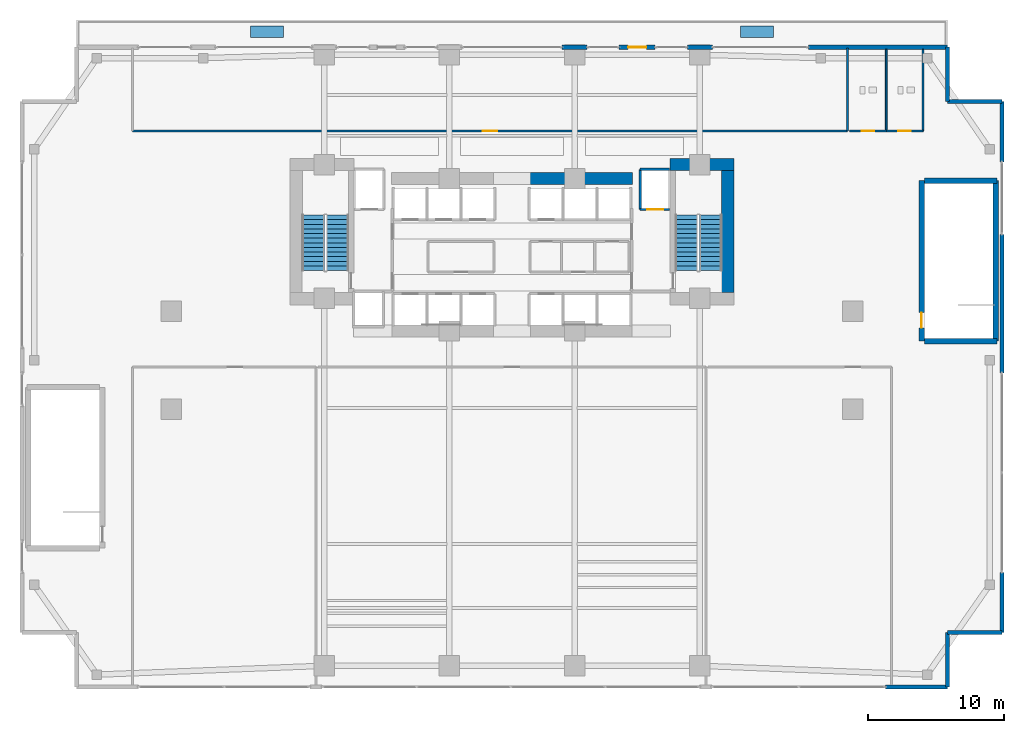
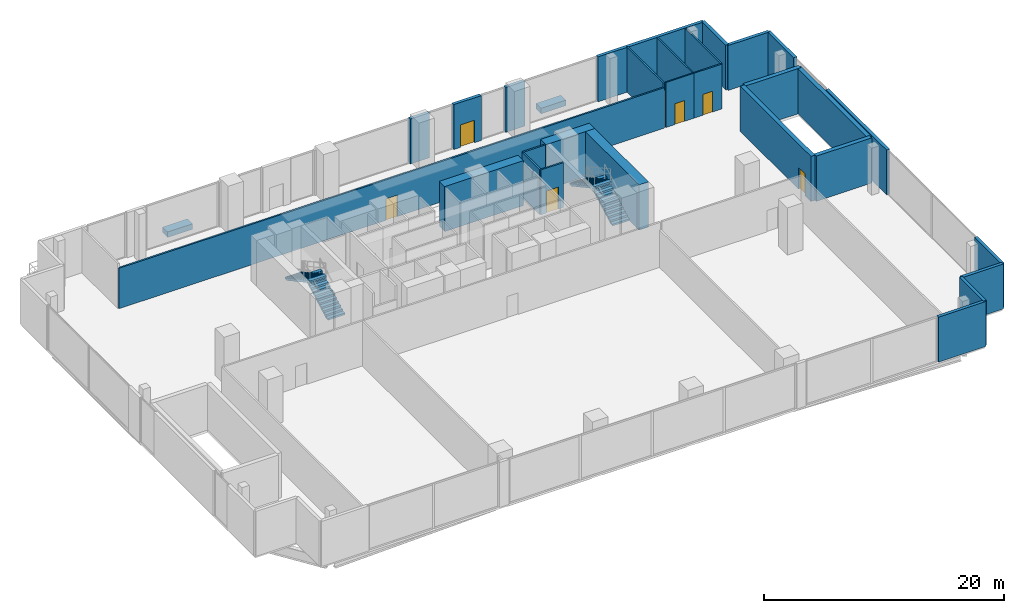
# One storey, part 23 of 28: 28 walls, 6 doors, 4 stair flights, 2 building element parts, 6 openings, 2 elements without a shape of their own.
"""IFC4 building model written with IfcOpenShell, lengths in metres."""

from ifc_helpers import new_model, si_unit, direction, frame, frame_2d, origin, origin_2d, place, context, subcontext, project, spatial, polyline, rectangle, outline, extrude, material, layer, layer_set, type_object, element, fill, aggregate, save


model = new_model("IFC4")

# Units and contexts
model_context = context("Model", 3, precision=1e-05, world=origin(), true_north=direction((0.0, 1.0)))
body_context = subcontext(model_context, "Body", "Model", "MODEL_VIEW")
ifc_project = project(units=[si_unit("LENGTHUNIT", "METRE"), si_unit("AREAUNIT", "SQUARE_METRE"), si_unit("VOLUMEUNIT", "CUBIC_METRE"), si_unit("PLANEANGLEUNIT", "RADIAN"), si_unit("MASSUNIT", "GRAM", prefix="KILO")], contexts=[model_context])

# Site, building, storey
site_placement = place(None, origin())
site = spatial("IfcSite", under=ifc_project, at=site_placement, CompositionType="ELEMENT")
building_placement = place(site_placement, origin())
building = spatial("IfcBuilding", under=site, at=building_placement, Name="Zuhayl Quay Hotel", CompositionType="ELEMENT")
storey_placement = place(building_placement, frame((0.0, 0.0, 22.800048828125)))
storey = spatial("IfcBuildingStorey", under=building, at=storey_placement, Name="L04", CompositionType="ELEMENT", Elevation=22.800048828125)

# Walls
ifc_material_1 = material(Name="Concrete C70/85", Category="concrete")
ifc_layer_1 = layer(ifc_material_1, 0.89990234375, Name="Concrete C70/85", Category="concrete")
ifc_layer_set_1 = layer_set([ifc_layer_1], Name="Concrete C70/85")
wall_type_1 = type_object("IfcWallType", Name="WL_CORE_900", PredefinedType="SHEAR", material=ifc_layer_set_1)
wall_1_placement = place(storey_placement, frame((11.60009765625, 14.3798828125, 0.0), z_axis=(0.0, 0.0, 1.0), x_axis=(1.0, 0.0, 0.0)))
element("IfcWall", 1, at=wall_1_placement, inside=storey, type_object=wall_type_1, Name="L04 Core Shear Wall CW_NE", PredefinedType="SHEAR", context=body_context, shape_type="SweptSolid", body=[
    extrude(rectangle(XDim=4.7099609375, YDim=0.89990234375, at=frame_2d((2.35498046875, 0.0))), origin(), (0.0, 0.0, 1.0), 4.60986328125),
])
wall_2_placement = place(storey_placement, frame((15.860107421875, 4.969970703125, 0.0), z_axis=(0.0, 0.0, 1.0), x_axis=(0.0, 1.0, 0.0)))
element("IfcWall", 2, at=wall_2_placement, inside=storey, type_object=wall_type_1, Name="L04 Core Shear Wall CW_E", PredefinedType="SHEAR", context=body_context, shape_type="SweptSolid", body=[
    extrude(rectangle(XDim=8.9599609375, YDim=0.89990234375, at=frame_2d((4.47998046875, 0.0))), origin(), (0.0, 0.0, 1.0), 4.60986328125),
])
wall_3_placement = place(storey_placement, frame((1.25, 13.35009765625, 0.0), z_axis=(0.0, 0.0, 1.0), x_axis=(1.0, 0.0, 0.0)))
element("IfcWall", 3, at=wall_3_placement, inside=storey, type_object=wall_type_1, Name="L04 Core Shear Wall CW_NC_E", PredefinedType="SHEAR", context=body_context, shape_type="SweptSolid", body=[
    extrude(rectangle(XDim=7.60009765625, YDim=0.89990234375, at=frame_2d((3.800048828125, 0.0))), origin(), (0.0, 0.0, 1.0), 4.579833984375),
])
ifc_material_2 = material(Name="Precast concrete C45/55", Category="concrete")
ifc_layer_2 = layer(ifc_material_2, 0.300048828125, Name="Precast concrete C45/55", Category="concrete")
ifc_layer_set_2 = layer_set([ifc_layer_2], Name="Precast concrete C45/55")
wall_type_2 = type_object("IfcWallType", Name="WL_EXT_300", PredefinedType="STANDARD", material=ifc_layer_set_2)
wall_4_placement = place(storey_placement, frame((3.679931640625, 23.0, 0.0), z_axis=(0.0, 0.0, 1.0), x_axis=(1.0, 0.0, 0.0)))
element("IfcWall", 4, at=wall_4_placement, inside=storey, type_object=wall_type_2, Name="L04 Exterior Precast Wall ENV_L04_E05_EW6", PredefinedType="STANDARD", context=body_context, shape_type="SweptSolid", body=[
    extrude(rectangle(XDim=1.840087890625, YDim=0.300048828125, at=frame_2d((0.919921875, 0.0))), origin(), (0.0, 0.0, 1.0), 4.579833984375),
])

# Wall, opening, door
wall_5_placement = place(storey_placement, frame((7.875, 23.0, 0.0), z_axis=(0.0, 0.0, 1.0), x_axis=(1.0, 0.0, 0.0)))
wall_5 = element("IfcWall", 5, at=wall_5_placement, inside=storey, type_object=wall_type_2, Name="L04 Exterior Precast Wall ENV_L04_E05_EW7", PredefinedType="STANDARD", context=body_context, shape_type="SweptSolid", body=[
    extrude(rectangle(XDim=2.64990234375, YDim=0.300048828125, at=frame_2d((1.324951171875, 0.0))), origin(), (0.0, 0.0, 1.0), 4.579833984375),
])
opening_1_placement = place(wall_5_placement, frame((0.64990234375, 0.0, 0.0)))
opening_1 = element("IfcOpeningElement", 6, at=opening_1_placement, cuts=wall_5, Name="Opening DG2", PredefinedType="OPENING", context=body_context, shape_type="SweptSolid", body=[
    extrude(rectangle(XDim=1.35009765625, YDim=2.300048828125, at=frame_2d((0.675048828125, 1.14990234375))), frame((0.0, 0.159912109375, 0.0), z_axis=(0.0, -1.0, 0.0), x_axis=(1.0, 0.0, 0.0)), (0.0, 0.0, 1.0), 0.320068359375),
])
ifc_material_3 = material(Name="Anodised Aluminium and Dark Solar Glass", Category="aluminium")
door_type_1 = type_object("IfcDoorType", Name="DR_EXT_TERR_1350", OperationType="NOTDEFINED", PredefinedType="DOOR", material=ifc_material_3)
door_1_placement = place(opening_1_placement, origin())
door_1 = element("IfcDoor", 7, at=door_1_placement, inside=storey, type_object=door_type_1, Name="L04 Waterfront Terrace Door East", OperationType="SINGLE_SWING_RIGHT", OverallHeight=2.300048828125, OverallWidth=1.35009765625, PredefinedType="DOOR", context=body_context, shape_type="SweptSolid", body=[
    extrude(rectangle(XDim=1.35009765625, YDim=2.300048828125, at=frame_2d((0.675048828125, 1.14990234375))), frame((0.0, 0.02490234375, 0.0), z_axis=(0.0, -1.0, 0.0), x_axis=(1.0, 0.0, 0.0)), (0.0, 0.0, 1.0), 0.050048828125),
])
fill(opening_1, door_1)

# Walls
wall_6_placement = place(storey_placement, frame((12.8798828125, 23.0, 0.0), z_axis=(0.0, 0.0, 1.0), x_axis=(1.0, 0.0, 0.0)))
element("IfcWall", 8, at=wall_6_placement, inside=storey, type_object=wall_type_2, Name="L04 Exterior Precast Wall ENV_L04_E05_EW8", PredefinedType="STANDARD", context=body_context, shape_type="SweptSolid", body=[
    extrude(rectangle(XDim=1.840087890625, YDim=0.300048828125, at=frame_2d((0.919921875, 0.0))), origin(), (0.0, 0.0, 1.0), 4.579833984375),
])
wall_7_placement = place(storey_placement, frame((21.780029296875, 23.0, 0.0), z_axis=(0.0, 0.0, 1.0), x_axis=(1.0, 0.0, 0.0)))
element("IfcWall", 9, at=wall_7_placement, inside=storey, type_object=wall_type_2, Name="L04 Exterior Precast Wall ENV_L04_E05_EW9", PredefinedType="STANDARD", context=body_context, shape_type="SweptSolid", body=[
    extrude(rectangle(XDim=10.219970703125, YDim=0.300048828125, at=frame_2d((5.10986328125, 0.0))), origin(), (0.0, 0.0, 1.0), 4.579833984375),
])
for number, where, z_axis, x_axis, name in (
    (10, (32.0, 23.0, 0.0), (0.0, 0.0, 1.0), (0.0, -1.0, 0.0), "L04 Exterior Precast Wall ENV_L04_EW06"),
    (11, (32.0, 19.0, 0.0), (0.0, 0.0, 1.0), (1.0, 0.0, 0.0), "L04 Exterior Precast Wall ENV_L04_EW07"),
):
    element("IfcWall", number, at=place(storey_placement, frame(where, z_axis=z_axis, x_axis=x_axis)), inside=storey, type_object=wall_type_2, Name=name, PredefinedType="STANDARD", context=body_context, shape_type="SweptSolid", body=[
        extrude(rectangle(XDim=4.0, YDim=0.300048828125, at=frame_2d((2.0, 0.0))), origin(), (0.0, 0.0, 1.0), 4.579833984375),
    ])
wall_8_placement = place(storey_placement, frame((36.0, 19.0, 0.0), z_axis=(0.0, 0.0, 1.0), x_axis=(0.0, -1.0, 0.0)))
element("IfcWall", 12, at=wall_8_placement, inside=storey, type_object=wall_type_2, Name="L04 Exterior Precast Wall ENV_L04_E08_EW1", PredefinedType="STANDARD", context=body_context, shape_type="SweptSolid", body=[
    extrude(rectangle(XDim=4.419921875, YDim=0.300048828125, at=frame_2d((2.2099609375, 0.0))), origin(), (0.0, 0.0, 1.0), 4.579833984375),
])
wall_9_placement = place(storey_placement, frame((36.0, 9.25, 0.0), z_axis=(0.0, 0.0, 1.0), x_axis=(0.0, -1.0, 0.0)))
element("IfcWall", 13, at=wall_9_placement, inside=storey, type_object=wall_type_2, Name="L04 Exterior Precast Wall ENV_L04_E08_EW2", PredefinedType="STANDARD", context=body_context, shape_type="SweptSolid", body=[
    extrude(rectangle(XDim=10.169921875, YDim=0.300048828125, at=frame_2d((5.0849609375, 0.0))), origin(), (0.0, 0.0, 1.0), 4.579833984375),
])
wall_10_placement = place(storey_placement, frame((36.0, -15.580078125, 0.0), z_axis=(0.0, 0.0, 1.0), x_axis=(0.0, -1.0, 0.0)))
element("IfcWall", 14, at=wall_10_placement, inside=storey, type_object=wall_type_2, Name="L04 Exterior Precast Wall ENV_L04_E08_EW3", PredefinedType="STANDARD", context=body_context, shape_type="SweptSolid", body=[
    extrude(rectangle(XDim=4.419921875, YDim=0.300048828125, at=frame_2d((2.2099609375, 0.0))), origin(), (0.0, 0.0, 1.0), 4.579833984375),
])
for number, where, z_axis, x_axis, name in (
    (15, (36.0, -20.0, 0.0), (0.0, 0.0, 1.0), (-1.0, 0.0, 0.0), "L04 Exterior Precast Wall ENV_L04_EW09"),
    (16, (32.0, -20.0, 0.0), (0.0, 0.0, 1.0), (0.0, -1.0, 0.0), "L04 Exterior Precast Wall ENV_L04_EW10"),
):
    element("IfcWall", number, at=place(storey_placement, frame(where, z_axis=z_axis, x_axis=x_axis)), inside=storey, type_object=wall_type_2, Name=name, PredefinedType="STANDARD", context=body_context, shape_type="SweptSolid", body=[
        extrude(rectangle(XDim=4.0, YDim=0.300048828125, at=frame_2d((2.0, 0.0))), origin(), (0.0, 0.0, 1.0), 4.579833984375),
    ])
wall_11_placement = place(storey_placement, frame((32.0, -24.0, 0.0), z_axis=(0.0, 0.0, 1.0), x_axis=(-1.0, 0.0, 0.0)))
element("IfcWall", 17, at=wall_11_placement, inside=storey, type_object=wall_type_2, Name="L04 Exterior Precast Wall ENV_L04_E11_EW1", PredefinedType="STANDARD", context=body_context, shape_type="SweptSolid", body=[
    extrude(rectangle(XDim=4.550048828125, YDim=0.300048828125, at=frame_2d((2.27490234375, 0.0))), origin(), (0.0, 0.0, 1.0), 4.579833984375),
])
ifc_material_4 = material(Name="Acoustic Gypsum Partition STC-58")
ifc_layer_3 = layer(ifc_material_4, 0.14990234375, Name="Acoustic Gypsum Partition STC-58")
ifc_layer_set_3 = layer_set([ifc_layer_3], Name="Acoustic Gypsum Partition STC-58")
wall_type_3 = type_object("IfcWallType", Name="WL_PART_150", PredefinedType="PARTITIONING", material=ifc_layer_set_3)
wall_12_placement = place(storey_placement, frame((24.64990234375, 16.85009765625, 0.0), z_axis=(0.0, 0.0, 1.0), x_axis=(0.0, 1.0, 0.0)))
element("IfcWall", 18, at=wall_12_placement, inside=storey, type_object=wall_type_3, Name="L04 Partition IW_L04_TERR_LOUNGE_E", PredefinedType="PARTITIONING", context=body_context, shape_type="SweptSolid", body=[
    extrude(rectangle(XDim=6.08984375, YDim=0.14990234375, at=frame_2d((3.044921875, 0.0))), origin(), (0.0, 0.0, 1.0), 4.579833984375),
])

# Wall, opening, door
ifc_layer_4 = layer(ifc_material_4, 0.159912109375, Name="Acoustic Gypsum Partition STC-58")
ifc_layer_set_4 = layer_set([ifc_layer_4], Name="Acoustic Gypsum Partition STC-58")
wall_type_4 = type_object("IfcWallType", Name="WL_PART_CORR_160", PredefinedType="PARTITIONING", material=ifc_layer_set_4)
wall_13_placement = place(storey_placement, frame((-27.89990234375, 16.85009765625, 0.0), z_axis=(0.0, 0.0, 1.0), x_axis=(1.0, 0.0, 0.0)))
wall_13 = element("IfcWall", 19, at=wall_13_placement, inside=storey, type_object=wall_type_4, Name="L04 Partition IW_L04_TERR_LOUNGE_S", PredefinedType="PARTITIONING", context=body_context, shape_type="SweptSolid", body=[
    extrude(rectangle(XDim=52.5498046875, YDim=0.159912109375, at=frame_2d((26.27490234375, 0.0))), origin(), (0.0, 0.0, 1.0), 4.123046875),
])
opening_2_placement = place(wall_13_placement, frame((25.735107421875, 0.0, 0.0)))
opening_2 = element("IfcOpeningElement", 20, at=opening_2_placement, cuts=wall_13, Name="Opening D05A", PredefinedType="OPENING", context=body_context, shape_type="SweptSolid", body=[
    extrude(rectangle(XDim=1.080078125, YDim=2.179931640625, at=frame_2d((0.5400390625, 1.08984375))), frame((0.0, 0.08984375, 0.0), z_axis=(0.0, -1.0, 0.0), x_axis=(1.0, 0.0, 0.0)), (0.0, 0.0, 1.0), 0.179931640625),
])
ifc_material_5 = material(Name="Solid Walnut Acoustic Fire Door")
door_type_2 = type_object("IfcDoorType", Name="DR_INT_1100", OperationType="NOTDEFINED", PredefinedType="DOOR", material=ifc_material_5)
door_2_placement = place(opening_2_placement, origin())
door_2 = element("IfcDoor", 21, at=door_2_placement, inside=storey, type_object=door_type_2, Name="L04 Waterfront Terrace Resort Lounge Door", OperationType="SINGLE_SWING_LEFT", OverallHeight=2.179931640625, OverallWidth=1.080078125, PredefinedType="DOOR", context=body_context, shape_type="SweptSolid", body=[
    extrude(rectangle(XDim=1.080078125, YDim=2.179931640625, at=frame_2d((0.5400390625, 1.08984375))), frame((0.0, 0.02490234375, 0.0), z_axis=(0.0, -1.0, 0.0), x_axis=(1.0, 0.0, 0.0)), (0.0, 0.0, 1.0), 0.050048828125),
])
fill(opening_2, door_2)

ifc_material_6 = material(Name="Moisture-Resistant Sanitarychase Gypsum")
ifc_layer_5 = layer(ifc_material_6, 0.135009765625, Name="Moisture-Resistant Sanitarychase Gypsum")
ifc_layer_set_5 = layer_set([ifc_layer_5], Name="Moisture-Resistant Sanitarychase Gypsum")
wall_type_5 = type_object("IfcWallType", Name="WL_PART_PLUMB_150", PredefinedType="PLUMBINGWALL", material=ifc_layer_set_5)
wall_14_placement = place(storey_placement, frame((24.800048828125, 16.85009765625, 0.0), z_axis=(0.0, 0.0, 1.0), x_axis=(1.0, 0.0, 0.0)))
wall_14 = element("IfcWall", 22, at=wall_14_placement, inside=storey, type_object=wall_type_5, Name="L04 Partition IW_L04_PWC_PUB_F", PredefinedType="PLUMBINGWALL", context=body_context, shape_type="SweptSolid", body=[
    extrude(rectangle(XDim=2.699951171875, YDim=0.135009765625, at=frame_2d((1.35009765625, 0.0))), origin(), (0.0, 0.0, 1.0), 4.579833984375),
])
opening_3_placement = place(wall_14_placement, frame((0.889892578125, 0.0, 0.0)))
opening_3 = element("IfcOpeningElement", 23, at=opening_3_placement, cuts=wall_14, Name="Opening D05", PredefinedType="OPENING", context=body_context, shape_type="SweptSolid", body=[
    extrude(rectangle(XDim=0.919921875, YDim=2.1201171875, at=frame_2d((0.4599609375, 1.06005859375))), frame((0.0, 0.077392578125, 0.0), z_axis=(0.0, -1.0, 0.0), x_axis=(1.0, 0.0, 0.0)), (0.0, 0.0, 1.0), 0.155029296875),
])
door_type_3 = type_object("IfcDoorType", Name="DR_INT_950", OperationType="NOTDEFINED", PredefinedType="DOOR", material=ifc_material_5)
door_3_placement = place(opening_3_placement, origin())
door_3 = element("IfcDoor", 24, at=door_3_placement, inside=storey, type_object=door_type_3, Name="L04 Public Restroom Door", OperationType="SINGLE_SWING_LEFT", OverallHeight=2.1201171875, OverallWidth=0.919921875, PredefinedType="DOOR", context=body_context, shape_type="SweptSolid", body=[
    extrude(rectangle(XDim=0.919921875, YDim=2.1201171875, at=frame_2d((0.4599609375, 1.06005859375))), frame((0.0, 0.02490234375, 0.0), z_axis=(0.0, -1.0, 0.0), x_axis=(1.0, 0.0, 0.0)), (0.0, 0.0, 1.0), 0.050048828125),
])
fill(opening_3, door_3)

wall_15_placement = place(storey_placement, frame((27.5, 16.85009765625, 0.0), z_axis=(0.0, 0.0, 1.0), x_axis=(1.0, 0.0, 0.0)))
wall_15 = element("IfcWall", 25, at=wall_15_placement, inside=storey, type_object=wall_type_5, Name="L04 Partition IW_L04_PWC_ACC_F", PredefinedType="PLUMBINGWALL", context=body_context, shape_type="SweptSolid", body=[
    extrude(rectangle(XDim=2.699951171875, YDim=0.135009765625, at=frame_2d((1.35009765625, 0.0))), origin(), (0.0, 0.0, 1.0), 4.579833984375),
])
opening_4_placement = place(wall_15_placement, frame((0.889892578125, 0.0, 0.0)))
opening_4 = element("IfcOpeningElement", 26, at=opening_4_placement, cuts=wall_15, Name="Opening D05", PredefinedType="OPENING", context=body_context, shape_type="SweptSolid", body=[
    extrude(rectangle(XDim=0.919921875, YDim=2.1201171875, at=frame_2d((0.4599609375, 1.06005859375))), frame((0.0, 0.077392578125, 0.0), z_axis=(0.0, -1.0, 0.0), x_axis=(1.0, 0.0, 0.0)), (0.0, 0.0, 1.0), 0.155029296875),
])
door_4_placement = place(opening_4_placement, origin())
door_4 = element("IfcDoor", 27, at=door_4_placement, inside=storey, type_object=door_type_3, Name="L04 Accessible Wheelchair WC Door", OperationType="SINGLE_SWING_RIGHT", OverallHeight=2.1201171875, OverallWidth=0.919921875, PredefinedType="DOOR", context=body_context, shape_type="SweptSolid", body=[
    extrude(rectangle(XDim=0.919921875, YDim=2.1201171875, at=frame_2d((0.4599609375, 1.06005859375))), frame((0.0, 0.02490234375, 0.0), z_axis=(0.0, -1.0, 0.0), x_axis=(1.0, 0.0, 0.0)), (0.0, 0.0, 1.0), 0.050048828125),
])
fill(opening_4, door_4)

# Walls
for number, where, z_axis, x_axis, name in (
    (28, (30.199951171875, 16.85009765625, 0.0), (0.0, 0.0, 1.0), (0.0, 1.0, 0.0), "L04 Partition IW_L04_PWC_E"),
    (29, (27.5, 16.85009765625, 0.0), (0.0, 0.0, 1.0), (0.0, 1.0, 0.0), "L04 Partition IW_L04_PWC_DIV"),
):
    element("IfcWall", number, at=place(storey_placement, frame(where, z_axis=z_axis, x_axis=x_axis)), inside=storey, type_object=wall_type_5, Name=name, PredefinedType="PLUMBINGWALL", context=body_context, shape_type="SweptSolid", body=[
        extrude(rectangle(XDim=6.0, YDim=0.135009765625, at=frame_2d((3.0, 0.0))), origin(), (0.0, 0.0, 1.0), 4.579833984375),
    ])

# Wall, opening, door
ifc_material_7 = material(Name="Gypsum Fireboard Assembly EI-90")
ifc_layer_6 = layer(ifc_material_7, 0.1650390625, Name="Gypsum Fireboard Assembly EI-90")
ifc_layer_set_6 = layer_set([ifc_layer_6], Name="Gypsum Fireboard Assembly EI-90")
wall_type_6 = type_object("IfcWallType", Name="WL_PART_SHAFT_160", PredefinedType="PARTITIONING", material=ifc_layer_set_6)
wall_16_placement = place(storey_placement, frame((9.419921875, 11.070068359375, 0.0), z_axis=(0.0, 0.0, 1.0), x_axis=(1.0, 0.0, 0.0)))
wall_16 = element("IfcWall", 30, at=wall_16_placement, inside=storey, type_object=wall_type_6, Name="L04 Partition IW_L04_SH_FL2_F", PredefinedType="PARTITIONING", context=body_context, shape_type="SweptSolid", body=[
    extrude(rectangle(XDim=2.16015625, YDim=0.1650390625, at=frame_2d((1.080078125, 0.0))), origin(), (0.0, 0.0, 1.0), 4.579833984375),
])
opening_5_placement = place(wall_16_placement, frame((0.530029296875, 0.0, 0.0)))
opening_5 = element("IfcOpeningElement", 31, at=opening_5_placement, cuts=wall_16, Name="Opening LD2", PredefinedType="OPENING", context=body_context, shape_type="SweptSolid", body=[
    extrude(rectangle(XDim=1.14990234375, YDim=2.25, at=frame_2d((0.574951171875, 1.125))), frame((0.0, 0.092529296875, 0.0), z_axis=(0.0, -1.0, 0.0), x_axis=(1.0, 0.0, 0.0)), (0.0, 0.0, 1.0), 0.18505859375),
])
ifc_material_8 = material(Name="Brushed Stainless Steel", Category="steel")
door_type_4 = type_object("IfcDoorType", Name="DR_LIFT_FF_1100", OperationType="SLIDING_TO_LEFT", PredefinedType="DOOR", material=ifc_material_8)
door_5_placement = place(opening_5_placement, origin())
door_5 = element("IfcDoor", 32, at=door_5_placement, inside=storey, type_object=door_type_4, Name="L04 Lift FL2 Sliding Landing Door", OperationType="SLIDING_TO_LEFT", OverallHeight=2.25, OverallWidth=1.14990234375, PredefinedType="DOOR", context=body_context, shape_type="SweptSolid", body=[
    extrude(rectangle(XDim=1.14990234375, YDim=2.25, at=frame_2d((0.574951171875, 1.125))), frame((0.0, 0.02490234375, 0.0), z_axis=(0.0, -1.0, 0.0), x_axis=(1.0, 0.0, 0.0)), (0.0, 0.0, 1.0), 0.050048828125),
])
fill(opening_5, door_5)

# Walls
wall_17_placement = place(storey_placement, frame((9.419921875, 11.070068359375, 0.0), z_axis=(0.0, 0.0, 1.0), x_axis=(0.0, 1.0, 0.0)))
element("IfcWall", 33, at=wall_17_placement, inside=storey, type_object=wall_type_6, Name="L04 Partition IW_L04_SH_FL2_W", PredefinedType="PARTITIONING", context=body_context, shape_type="SweptSolid", body=[
    extrude(rectangle(XDim=2.9599609375, YDim=0.1650390625, at=frame_2d((1.47998046875, 0.0))), origin(), (0.0, 0.0, 1.0), 4.579833984375),
])
wall_18_placement = place(storey_placement, frame((9.419921875, 14.030029296875, 0.0), z_axis=(0.0, 0.0, 1.0), x_axis=(1.0, 0.0, 0.0)))
element("IfcWall", 34, at=wall_18_placement, inside=storey, type_object=wall_type_6, Name="L04 Partition IW_L04_SH_FL2_B", PredefinedType="PARTITIONING", context=body_context, shape_type="SweptSolid", body=[
    extrude(rectangle(XDim=2.16015625, YDim=0.1650390625, at=frame_2d((1.080078125, 0.0))), origin(), (0.0, 0.0, 1.0), 4.579833984375),
])

# Wall, opening, door
ifc_material_9 = material(Name="Concrete C60/75", Category="concrete")
ifc_layer_7 = layer(ifc_material_9, 0.39990234375, Name="Concrete C60/75", Category="concrete")
ifc_layer_set_7 = layer_set([ifc_layer_7], Name="Concrete C60/75")
wall_type_7 = type_object("IfcWallType", Name="WL_STAIR_400", PredefinedType="SHEAR", material=ifc_layer_set_7)
wall_19_placement = place(storey_placement, frame((30.10009765625, 13.199951171875, 0.0), z_axis=(0.0, 0.0, 1.0), x_axis=(0.0, -1.0, 0.0)))
wall_19 = element("IfcWall", 35, at=wall_19_placement, inside=storey, type_object=wall_type_7, Name="L04 Podium Stair Shear Wall SW_ST4_W", PredefinedType="SHEAR", context=body_context, shape_type="SweptSolid", body=[
    extrude(rectangle(XDim=11.800048828125, YDim=0.39990234375, at=frame_2d((5.89990234375, 0.0))), origin(), (0.0, 0.0, 1.0), 4.60986328125),
])
opening_6_placement = place(wall_19_placement, frame((9.699951171875, 0.0, 0.0)))
opening_6 = element("IfcOpeningElement", 36, at=opening_6_placement, cuts=wall_19, Name="Opening D01", PredefinedType="OPENING", context=body_context, shape_type="SweptSolid", body=[
    extrude(rectangle(XDim=1.1201171875, YDim=2.219970703125, at=frame_2d((0.56005859375, 1.10986328125))), frame((0.0, 0.2099609375, 0.0), z_axis=(0.0, -1.0, 0.0), x_axis=(1.0, 0.0, 0.0)), (0.0, 0.0, 1.0), 0.419921875),
])
ifc_material_10 = material(Name="Steel ASTM A992 Grade 50", Category="steel")
door_type_5 = type_object("IfcDoorType", Name="DR_STAIR_90_1100", OperationType="NOTDEFINED", PredefinedType="DOOR", material=ifc_material_10)
door_6_placement = place(opening_6_placement, origin())
door_6 = element("IfcDoor", 37, at=door_6_placement, inside=storey, type_object=door_type_5, Name="L04 Podium Exit Stair ST4 Door", OperationType="SINGLE_SWING_LEFT", OverallHeight=2.219970703125, OverallWidth=1.1201171875, PredefinedType="DOOR", context=body_context, shape_type="SweptSolid", body=[
    extrude(rectangle(XDim=1.1201171875, YDim=2.219970703125, at=frame_2d((0.56005859375, 1.10986328125))), frame((0.0, 0.02490234375, 0.0), z_axis=(0.0, -1.0, 0.0), x_axis=(1.0, 0.0, 0.0)), (0.0, 0.0, 1.0), 0.050048828125),
])
fill(opening_6, door_6)

# Walls
for number, where, z_axis, x_axis, name in (
    (38, (30.300048828125, 1.39990234375, 0.0), (0.0, 0.0, 1.0), (1.0, 0.0, 0.0), "L04 Podium Stair Shear Wall SW_ST4_S"),
    (39, (30.300048828125, 13.199951171875, 0.0), (0.0, 0.0, 1.0), (1.0, 0.0, 0.0), "L04 Podium Stair Shear Wall SW_ST4_N"),
):
    element("IfcWall", number, at=place(storey_placement, frame(where, z_axis=z_axis, x_axis=x_axis)), inside=storey, type_object=wall_type_7, Name=name, PredefinedType="SHEAR", context=body_context, shape_type="SweptSolid", body=[
        extrude(rectangle(XDim=5.349853515625, YDim=0.39990234375, at=frame_2d((2.6748046875, 0.0))), origin(), (0.0, 0.0, 1.0), 4.60986328125),
    ])
wall_20_placement = place(storey_placement, frame((35.550048828125, 1.39990234375, 0.0), z_axis=(0.0, 0.0, 1.0), x_axis=(0.0, 1.0, 0.0)))
element("IfcWall", 40, at=wall_20_placement, inside=storey, type_object=wall_type_7, Name="L04 Podium Stair Shear Wall SW_ST4_E", PredefinedType="SHEAR", context=body_context, shape_type="SweptSolid", body=[
    extrude(rectangle(XDim=11.800048828125, YDim=0.39990234375, at=frame_2d((5.89990234375, 0.0))), origin(), (0.0, 0.0, 1.0), 4.60986328125),
])

# Stair, stair flights
ifc_material_11 = material(Name="Concrete C45/55", Category="concrete")
stair_type = type_object("IfcStairType", Name="ST_DOGLEG_TOWER", PredefinedType="HALF_TURN_STAIR", material=ifc_material_11)
stair_1_placement = place(storey_placement, origin())
stair_1 = element("IfcStair", 41, at=stair_1_placement, inside=storey, type_object=stair_type, Name="L04 Smokeproof Exit Stair ST1", PredefinedType="HALF_TURN_STAIR")
ifc_layer_8 = layer(ifc_material_11, 0.159912109375, Name="Concrete C45/55", Category="concrete")
ifc_layer_set_8 = layer_set([ifc_layer_8], Name="Concrete C45/55")
stair_flight_type = type_object("IfcStairFlightType", Name="SF_CONC_164", PredefinedType="STRAIGHT", material=ifc_layer_set_8)
stair_flight_1_placement = place(storey_placement, frame((-12.820068359375, 6.590087890625, 0.0), z_axis=(0.0, 0.0, 1.0), x_axis=(0.0, 1.0, 0.0)))
stair_flight_1 = element("IfcStairFlight", 42, at=stair_flight_1_placement, type_object=stair_flight_type, Name="ST1 flight 1", NumberOfRisers=13, NumberOfTreads=12, PredefinedType="STRAIGHT", RiserHeight=0.184615385, TreadLength=0.34, context=body_context, shape_type="SweptSolid", body=[
    extrude(outline(polyline([(0.0, 0.0), (0.0, 0.1845703125), (0.340087890625, 0.1845703125), (0.340087890625, 0.369140625), (0.679931640625, 0.369140625), (0.679931640625, 0.553955078125), (1.02001953125, 0.553955078125), (1.02001953125, 0.738525390625), (1.360107421875, 0.738525390625), (1.360107421875, 0.923095703125), (1.699951171875, 0.923095703125), (1.699951171875, 1.107666015625), (2.0400390625, 1.107666015625), (2.0400390625, 1.292236328125), (2.3798828125, 1.292236328125), (2.3798828125, 1.476806640625), (2.719970703125, 1.476806640625), (2.719970703125, 1.66162109375), (3.06005859375, 1.66162109375), (3.06005859375, 1.84619140625), (3.39990234375, 1.84619140625), (3.39990234375, 2.03076171875), (3.739990234375, 2.03076171875), (3.739990234375, 2.21533203125), (4.080078125, 2.21533203125), (4.080078125, 2.39990234375), (4.080078125, 2.044921875), (0.314208984375, 0.0), (0.0, 0.0)])), frame((0.0, 0.81982421875, 0.0), z_axis=(0.0, -1.0, 0.0), x_axis=(1.0, 0.0, 0.0)), (0.0, 0.0, 1.0), 1.639892578125),
])
stair_flight_2_placement = place(storey_placement, frame((-14.610107421875, 10.669921875, 2.39990234375), z_axis=(0.0, 0.0, 1.0), x_axis=(0.0, -1.0, 0.0)))
stair_flight_2 = element("IfcStairFlight", 43, at=stair_flight_2_placement, type_object=stair_flight_type, Name="ST1 flight 2", NumberOfRisers=13, NumberOfTreads=12, PredefinedType="STRAIGHT", RiserHeight=0.184615385, TreadLength=0.34, context=body_context, shape_type="SweptSolid", body=[
    extrude(outline(polyline([(0.0, 0.0), (0.0, 0.1845703125), (0.340087890625, 0.1845703125), (0.340087890625, 0.369140625), (0.679931640625, 0.369140625), (0.679931640625, 0.553955078125), (1.02001953125, 0.553955078125), (1.02001953125, 0.738525390625), (1.360107421875, 0.738525390625), (1.360107421875, 0.923095703125), (1.699951171875, 0.923095703125), (1.699951171875, 1.107666015625), (2.0400390625, 1.107666015625), (2.0400390625, 1.292236328125), (2.3798828125, 1.292236328125), (2.3798828125, 1.476806640625), (2.719970703125, 1.476806640625), (2.719970703125, 1.66162109375), (3.06005859375, 1.66162109375), (3.06005859375, 1.84619140625), (3.39990234375, 1.84619140625), (3.39990234375, 2.03076171875), (3.739990234375, 2.03076171875), (3.739990234375, 2.21533203125), (4.080078125, 2.21533203125), (4.080078125, 2.39990234375), (4.080078125, 2.044921875), (0.314208984375, 0.0), (0.0, 0.0)])), frame((0.0, 0.81982421875, 0.0), z_axis=(0.0, -1.0, 0.0), x_axis=(1.0, 0.0, 0.0)), (0.0, 0.0, 1.0), 1.639892578125),
])
aggregate(stair_1, [stair_flight_1, stair_flight_2])

stair_2_placement = place(storey_placement, origin())
stair_2 = element("IfcStair", 44, at=stair_2_placement, inside=storey, type_object=stair_type, Name="L04 Smokeproof Exit Stair ST2", PredefinedType="HALF_TURN_STAIR")
stair_flight_3_placement = place(storey_placement, frame((14.610107421875, 6.590087890625, 0.0), z_axis=(0.0, 0.0, 1.0), x_axis=(0.0, 1.0, 0.0)))
stair_flight_3 = element("IfcStairFlight", 45, at=stair_flight_3_placement, type_object=stair_flight_type, Name="ST2 flight 1", NumberOfRisers=13, NumberOfTreads=12, PredefinedType="STRAIGHT", RiserHeight=0.184615385, TreadLength=0.34, context=body_context, shape_type="SweptSolid", body=[
    extrude(outline(polyline([(0.0, 0.0), (0.0, 0.1845703125), (0.340087890625, 0.1845703125), (0.340087890625, 0.369140625), (0.679931640625, 0.369140625), (0.679931640625, 0.553955078125), (1.02001953125, 0.553955078125), (1.02001953125, 0.738525390625), (1.360107421875, 0.738525390625), (1.360107421875, 0.923095703125), (1.699951171875, 0.923095703125), (1.699951171875, 1.107666015625), (2.0400390625, 1.107666015625), (2.0400390625, 1.292236328125), (2.3798828125, 1.292236328125), (2.3798828125, 1.476806640625), (2.719970703125, 1.476806640625), (2.719970703125, 1.66162109375), (3.06005859375, 1.66162109375), (3.06005859375, 1.84619140625), (3.39990234375, 1.84619140625), (3.39990234375, 2.03076171875), (3.739990234375, 2.03076171875), (3.739990234375, 2.21533203125), (4.080078125, 2.21533203125), (4.080078125, 2.39990234375), (4.080078125, 2.044921875), (0.314208984375, 0.0), (0.0, 0.0)])), frame((0.0, 0.81982421875, 0.0), z_axis=(0.0, -1.0, 0.0), x_axis=(1.0, 0.0, 0.0)), (0.0, 0.0, 1.0), 1.639892578125),
])
stair_flight_4_placement = place(storey_placement, frame((12.820068359375, 10.669921875, 2.39990234375), z_axis=(0.0, 0.0, 1.0), x_axis=(0.0, -1.0, 0.0)))
stair_flight_4 = element("IfcStairFlight", 46, at=stair_flight_4_placement, type_object=stair_flight_type, Name="ST2 flight 2", NumberOfRisers=13, NumberOfTreads=12, PredefinedType="STRAIGHT", RiserHeight=0.184615385, TreadLength=0.34, context=body_context, shape_type="SweptSolid", body=[
    extrude(outline(polyline([(0.0, 0.0), (0.0, 0.1845703125), (0.340087890625, 0.1845703125), (0.340087890625, 0.369140625), (0.679931640625, 0.369140625), (0.679931640625, 0.553955078125), (1.02001953125, 0.553955078125), (1.02001953125, 0.738525390625), (1.360107421875, 0.738525390625), (1.360107421875, 0.923095703125), (1.699951171875, 0.923095703125), (1.699951171875, 1.107666015625), (2.0400390625, 1.107666015625), (2.0400390625, 1.292236328125), (2.3798828125, 1.292236328125), (2.3798828125, 1.476806640625), (2.719970703125, 1.476806640625), (2.719970703125, 1.66162109375), (3.06005859375, 1.66162109375), (3.06005859375, 1.84619140625), (3.39990234375, 1.84619140625), (3.39990234375, 2.03076171875), (3.739990234375, 2.03076171875), (3.739990234375, 2.21533203125), (4.080078125, 2.21533203125), (4.080078125, 2.39990234375), (4.080078125, 2.044921875), (0.314208984375, 0.0), (0.0, 0.0)])), frame((0.0, 0.81982421875, 0.0), z_axis=(0.0, -1.0, 0.0), x_axis=(1.0, 0.0, 0.0)), (0.0, 0.0, 1.0), 1.639892578125),
])
aggregate(stair_2, [stair_flight_3, stair_flight_4])

# Building element parts
ifc_layer_9 = layer(ifc_material_2, 0.550048828125, Name="Precast concrete C45/55", Category="concrete")
ifc_layer_set_9 = layer_set([ifc_layer_9], Name="Precast concrete C45/55")
building_element_part_type = type_object("IfcBuildingElementPartType", Name="PT_PLANTER_KERB", PredefinedType="PRECASTPANEL", material=ifc_layer_set_9)
for number, where, z_axis, x_axis, name in (
    (47, (-18.0, 24.14990234375, 0.0), (0.0, 0.0, 1.0), (1.0, 0.0, 0.0), "L04 Waterfront Terrace Planter Box 1"),
    (48, (18.0, 24.14990234375, 0.0), (0.0, 0.0, 1.0), (1.0, 0.0, 0.0), "L04 Waterfront Terrace Planter Box 2"),
):
    element("IfcBuildingElementPart", number, at=place(storey_placement, frame(where, z_axis=z_axis, x_axis=x_axis)), inside=storey, type_object=building_element_part_type, Name=name, PredefinedType="PRECASTPANEL", context=body_context, shape_type="SweptSolid", body=[
        extrude(rectangle(XDim=2.39990234375, YDim=0.85009765625, at=origin_2d()), origin(), (0.0, 0.0, 1.0), 0.550048828125),
    ])

save(model, "model.ifc")
